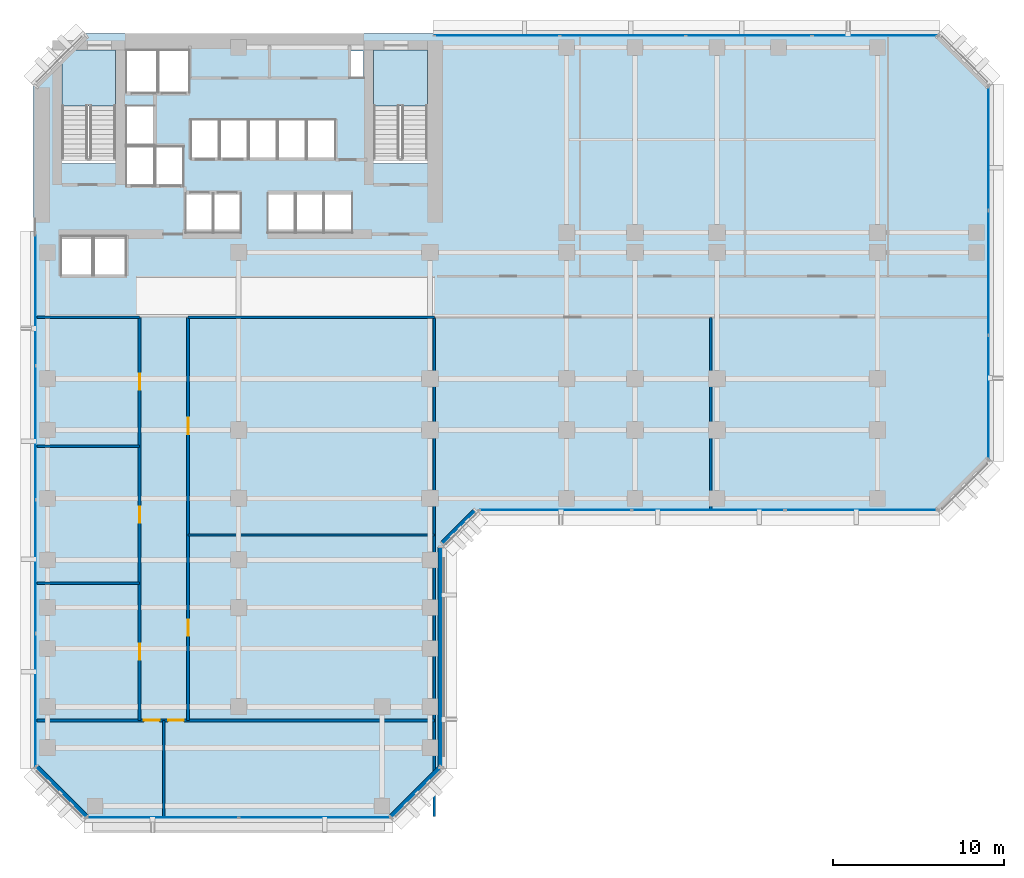
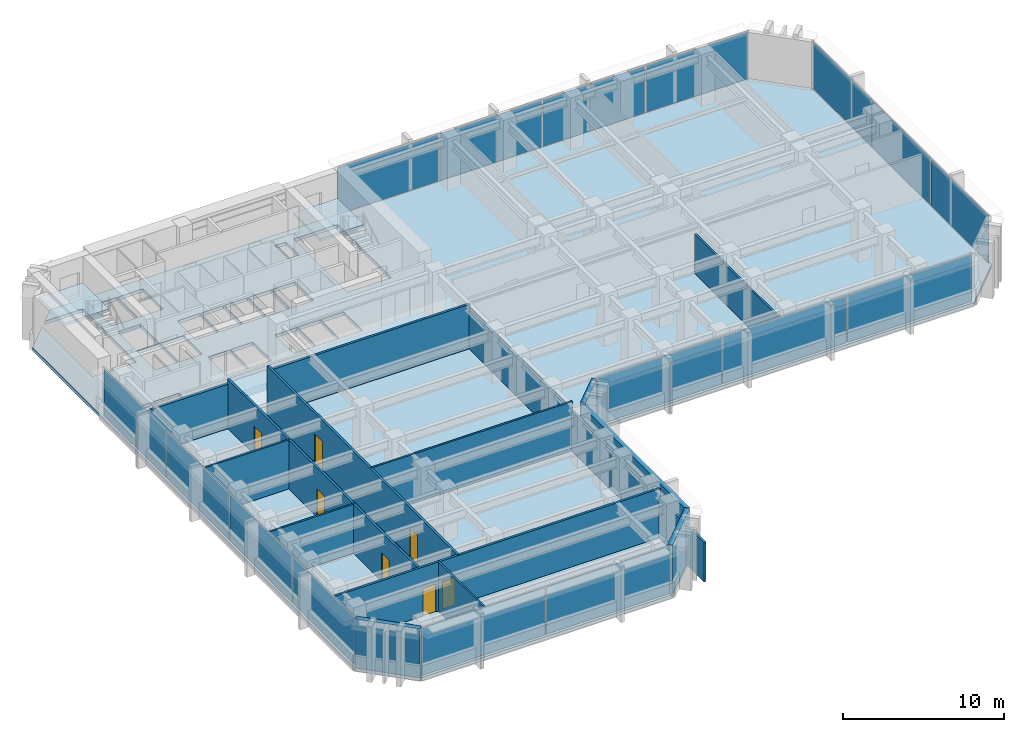
# One storey, part 6 of 13: 16 plates, 15 walls, 7 doors, 3 slabs, 7 openings, 7 elements without a shape of their own.
"""IFC4 building model written with IfcOpenShell, lengths in metres."""

from ifc_helpers import new_model, si_unit, direction, frame, frame_2d, origin, origin_2d, place, context, subcontext, project, spatial, polyline, rectangle, outline, extrude, material, layer, layer_set, type_object, element, fill, aggregate, save


model = new_model("IFC4")

# Units and contexts
model_context = context("Model", 3, precision=1e-05, world=origin(), true_north=direction((0.0, 1.0)))
body_context = subcontext(model_context, "Body", "Model", "MODEL_VIEW")
ifc_project = project(units=[si_unit("LENGTHUNIT", "METRE"), si_unit("AREAUNIT", "SQUARE_METRE"), si_unit("VOLUMEUNIT", "CUBIC_METRE"), si_unit("PLANEANGLEUNIT", "RADIAN"), si_unit("MASSUNIT", "GRAM", prefix="KILO")], contexts=[model_context])

# Site, building, storey
site_placement = place(None, origin())
site = spatial("IfcSite", under=ifc_project, at=site_placement, CompositionType="ELEMENT")
building_placement = place(site_placement, origin())
building = spatial("IfcBuilding", under=site, at=building_placement, Name="Kefirva Bronze Tower", CompositionType="ELEMENT")
storey_placement = place(building_placement, frame((0.0, 0.0, 46.199951171875)))
storey = spatial("IfcBuildingStorey", under=building, at=storey_placement, Name="L10", CompositionType="ELEMENT", Elevation=46.199951171875)

# Stair, slab
ifc_material_1 = material(Name="Concrete C40/50", Category="concrete")
stair_type = type_object("IfcStairType", Name="RC Dogleg Protected Stair 24R", PredefinedType="HALF_TURN_STAIR", material=ifc_material_1)
stair_1_placement = place(storey_placement, origin())
stair_1 = element("IfcStair", 1, at=stair_1_placement, inside=storey, type_object=stair_type, Name="L10 Protected Exit Stair 1", PredefinedType="HALF_TURN_STAIR")
ifc_layer_1 = layer(ifc_material_1, 0.199951171875, Name="Concrete C40/50")
ifc_layer_set_1 = layer_set([ifc_layer_1], Name="Concrete C40/50")
slab_type_1 = type_object("IfcSlabType", Name="RC Stair Landing Slab 200mm", PredefinedType="LANDING", material=ifc_layer_set_1)
slab_1_placement = place(storey_placement, frame((0.0, 0.0, 1.780029296875)))
slab_1 = element("IfcSlab", 2, at=slab_1_placement, type_object=slab_type_1, Name="ST-1 landing 1", PredefinedType="LANDING", context=body_context, shape_type="SweptSolid", body=[
    extrude(outline(polyline([(4.800048828125, 41.780029296875), (4.800048828125, 45.050048828125), (1.64990234375, 45.050048828125), (1.64990234375, 41.780029296875), (4.800048828125, 41.780029296875)])), origin(), (0.0, 0.0, 1.0), 0.199951171875),
])
aggregate(stair_1, [slab_1])

stair_2_placement = place(storey_placement, origin())
stair_2 = element("IfcStair", 3, at=stair_2_placement, inside=storey, type_object=stair_type, Name="L10 Protected Exit Stair 2", PredefinedType="HALF_TURN_STAIR")
slab_2_placement = place(storey_placement, frame((0.0, 0.0, 1.780029296875)))
slab_2 = element("IfcSlab", 4, at=slab_2_placement, type_object=slab_type_1, Name="ST-2 landing 1", PredefinedType="LANDING", context=body_context, shape_type="SweptSolid", body=[
    extrude(outline(polyline([(23.050048828125, 41.780029296875), (23.050048828125, 45.050048828125), (19.89990234375, 45.050048828125), (19.89990234375, 41.780029296875), (23.050048828125, 41.780029296875)])), origin(), (0.0, 0.0, 1.0), 0.199951171875),
])
aggregate(stair_2, [slab_2])

# Slab
ifc_layer_2 = layer(ifc_material_1, 0.25, Name="Concrete C40/50")
ifc_layer_set_2 = layer_set([ifc_layer_2], Name="Concrete C40/50")
slab_type_2 = type_object("IfcSlabType", Name="RC Tower Floor Slab 250mm", PredefinedType="FLOOR", material=ifc_layer_set_2)
slab_3_placement = place(storey_placement, frame((0.0, 0.0, -0.25)))
element("IfcSlab", 5, at=slab_3_placement, inside=storey, type_object=slab_type_2, Name="L10 Structural Floor Slab", PredefinedType="FLOOR", context=body_context, shape_type="SweptSolid", body=[
    extrude(outline(polyline([(0.0, 3.0), (0.0, 43.0), (1.64990234375, 44.64990234375), (1.64990234375, 38.39990234375), (4.800048828125, 38.39990234375), (4.800048828125, 45.050048828125), (2.050048828125, 45.050048828125), (3.0, 46.0), (53.0, 46.0), (56.0, 43.0), (56.0, 21.0), (53.0, 18.0), (26.0, 18.0), (24.0, 16.0), (24.0, 3.0), (21.0, 0.0), (3.0, 0.0), (0.0, 3.0)]), holes=[polyline([(19.89990234375, 38.39990234375), (23.050048828125, 38.39990234375), (23.050048828125, 45.050048828125), (19.89990234375, 45.050048828125), (19.89990234375, 38.39990234375)]), polyline([(18.52001953125, 43.419921875), (19.320068359375, 43.419921875), (19.320068359375, 45.0), (18.52001953125, 45.0), (18.52001953125, 43.419921875)]), polyline([(17.0, 34.35009765625), (18.64990234375, 34.35009765625), (18.64990234375, 36.64990234375), (17.0, 36.64990234375), (17.0, 34.35009765625)]), polyline([(17.64990234375, 38.679931640625), (17.64990234375, 40.97998046875), (16.0, 40.97998046875), (16.0, 38.679931640625), (17.64990234375, 38.679931640625)]), polyline([(16.949951171875, 34.35009765625), (16.949951171875, 36.64990234375), (15.35009765625, 36.64990234375), (15.35009765625, 34.35009765625), (16.949951171875, 34.35009765625)]), polyline([(15.929931640625, 38.679931640625), (15.929931640625, 40.97998046875), (14.300048828125, 40.97998046875), (14.300048828125, 38.679931640625), (15.929931640625, 38.679931640625)]), polyline([(15.300048828125, 34.35009765625), (15.300048828125, 36.64990234375), (13.699951171875, 36.64990234375), (13.699951171875, 34.35009765625), (15.300048828125, 34.35009765625)]), polyline([(14.22998046875, 38.679931640625), (14.22998046875, 40.97998046875), (12.60009765625, 40.97998046875), (12.60009765625, 38.679931640625), (14.22998046875, 38.679931640625)]), polyline([(10.89990234375, 38.679931640625), (12.530029296875, 38.679931640625), (12.530029296875, 40.97998046875), (10.89990234375, 40.97998046875), (10.89990234375, 38.679931640625)]), polyline([(12.139892578125, 34.35009765625), (12.139892578125, 36.64990234375), (10.5400390625, 36.64990234375), (10.5400390625, 34.35009765625), (12.139892578125, 34.35009765625)]), polyline([(10.830078125, 38.679931640625), (10.830078125, 40.97998046875), (9.199951171875, 40.97998046875), (9.199951171875, 38.679931640625), (10.830078125, 38.679931640625)]), polyline([(10.5, 34.35009765625), (10.5, 36.64990234375), (8.89990234375, 36.64990234375), (8.89990234375, 34.35009765625), (10.5, 34.35009765625)]), polyline([(7.300048828125, 42.550048828125), (9.1201171875, 42.550048828125), (9.1201171875, 45.050048828125), (7.300048828125, 45.050048828125), (7.300048828125, 42.550048828125)]), polyline([(7.139892578125, 37.10009765625), (8.780029296875, 37.10009765625), (8.780029296875, 39.39990234375), (7.139892578125, 39.39990234375), (7.139892578125, 37.10009765625)]), polyline([(5.419921875, 42.550048828125), (7.239990234375, 42.550048828125), (7.239990234375, 45.050048828125), (5.419921875, 45.050048828125), (5.419921875, 42.550048828125)]), polyline([(7.06005859375, 39.47998046875), (7.06005859375, 41.780029296875), (5.419921875, 41.780029296875), (5.419921875, 39.47998046875), (7.06005859375, 39.47998046875)]), polyline([(5.419921875, 37.10009765625), (7.06005859375, 37.10009765625), (7.06005859375, 39.39990234375), (5.419921875, 39.39990234375), (5.419921875, 37.10009765625)]), polyline([(5.39990234375, 31.85009765625), (5.39990234375, 34.14990234375), (3.550048828125, 34.14990234375), (3.550048828125, 31.85009765625), (5.39990234375, 31.85009765625)]), polyline([(3.449951171875, 31.85009765625), (3.449951171875, 34.14990234375), (1.60009765625, 34.14990234375), (1.60009765625, 31.85009765625), (3.449951171875, 31.85009765625)])]), origin(), (0.0, 0.0, 1.0), 0.25),
])

# Curtain wall, plates
ifc_material_2 = material(Name="Bronze anodised aluminium", Category="aluminium")
ifc_layer_3 = layer(ifc_material_2, 0.199951171875, Name="Bronze anodised aluminium")
ifc_layer_set_3 = layer_set([ifc_layer_3], Name="Bronze anodised aluminium")
curtain_wall_type = type_object("IfcCurtainWallType", Name="Unitised Bronze Ribbon Curtain Wall Zone 1", PredefinedType="USERDEFINED", material=ifc_layer_set_3)
curtain_wall_1_placement = place(storey_placement, origin())
curtain_wall_1 = element("IfcCurtainWall", 6, at=curtain_wall_1_placement, inside=storey, type_object=curtain_wall_type, Name="L10 Curtain Wall 1", ObjectType="UNITISED CURTAIN WALL", PredefinedType="USERDEFINED")
ifc_material_3 = material(Name="Laminated low-E double glazing", Category="glass")
ifc_layer_4 = layer(ifc_material_3, 0.031982421875, Name="Laminated low-E double glazing")
ifc_layer_set_4 = layer_set([ifc_layer_4], Name="Laminated low-E double glazing")
plate_type = type_object("IfcPlateType", Name="Solar-Control Low-E Vision Panel 32mm", PredefinedType="CURTAIN_PANEL", material=ifc_layer_set_4)
plate_1_placement = place(storey_placement, frame((7.546142578125, 0.1201171875, 0.074951171875), z_axis=(0.0, 0.0, 1.0), x_axis=(1.0, 0.0, 0.0)))
plate_1 = element("IfcPlate", 7, at=plate_1_placement, type_object=plate_type, Name="CW-01 panel 1.1", PredefinedType="CURTAIN_PANEL", context=body_context, shape_type="SweptSolid", body=[
    extrude(rectangle(XDim=8.83251953125, YDim=0.031982421875, at=origin_2d()), origin(), (0.0, 0.0, 1.0), 3.56005859375),
])
plate_2_placement = place(storey_placement, frame((16.453857421875, 0.1201171875, 0.074951171875), z_axis=(0.0, 0.0, 1.0), x_axis=(1.0, 0.0, 0.0)))
plate_2 = element("IfcPlate", 8, at=plate_2_placement, type_object=plate_type, Name="CW-01 panel 2.1", PredefinedType="CURTAIN_PANEL", context=body_context, shape_type="SweptSolid", body=[
    extrude(rectangle(XDim=8.83251953125, YDim=0.031982421875, at=origin_2d()), origin(), (0.0, 0.0, 1.0), 3.56005859375),
])
aggregate(curtain_wall_1, [plate_1, plate_2])

curtain_wall_2_placement = place(storey_placement, origin())
curtain_wall_2 = element("IfcCurtainWall", 9, at=curtain_wall_2_placement, inside=storey, type_object=curtain_wall_type, Name="L10 Curtain Wall 2", ObjectType="UNITISED CURTAIN WALL", PredefinedType="USERDEFINED")
plate_3_placement = place(storey_placement, frame((30.555419921875, 18.1201171875, 0.074951171875), z_axis=(0.0, 0.0, 1.0), x_axis=(1.0, 0.0, 0.0)))
plate_3 = element("IfcPlate", 10, at=plate_3_placement, type_object=plate_type, Name="CW-01 panel 1.1", PredefinedType="CURTAIN_PANEL", context=body_context, shape_type="SweptSolid", body=[
    extrude(rectangle(XDim=8.850830078125, YDim=0.031982421875, at=origin_2d()), origin(), (0.0, 0.0, 1.0), 3.56005859375),
])
plate_4_placement = place(storey_placement, frame((39.5, 18.1201171875, 0.074951171875), z_axis=(0.0, 0.0, 1.0), x_axis=(1.0, 0.0, 0.0)))
plate_4 = element("IfcPlate", 11, at=plate_4_placement, type_object=plate_type, Name="CW-01 panel 2.1", PredefinedType="CURTAIN_PANEL", context=body_context, shape_type="SweptSolid", body=[
    extrude(rectangle(XDim=8.888427734375, YDim=0.031982421875, at=origin_2d()), origin(), (0.0, 0.0, 1.0), 3.56005859375),
])
plate_5_placement = place(storey_placement, frame((48.444580078125, 18.1201171875, 0.074951171875), z_axis=(0.0, 0.0, 1.0), x_axis=(1.0, 0.0, 0.0)))
plate_5 = element("IfcPlate", 12, at=plate_5_placement, type_object=plate_type, Name="CW-01 panel 3.1", PredefinedType="CURTAIN_PANEL", context=body_context, shape_type="SweptSolid", body=[
    extrude(rectangle(XDim=8.850830078125, YDim=0.031982421875, at=origin_2d()), origin(), (0.0, 0.0, 1.0), 3.56005859375),
])
aggregate(curtain_wall_2, [plate_3, plate_4, plate_5])

curtain_wall_3_placement = place(storey_placement, origin())
curtain_wall_3 = element("IfcCurtainWall", 13, at=curtain_wall_3_placement, inside=storey, type_object=curtain_wall_type, Name="L10 Curtain Wall 3", ObjectType="UNITISED CURTAIN WALL", PredefinedType="USERDEFINED")
plate_6_placement = place(storey_placement, frame((55.8798828125, 24.72216796875, 0.074951171875), z_axis=(0.0, 0.0, 1.0), x_axis=(0.0, 1.0, 0.0)))
plate_6 = element("IfcPlate", 14, at=plate_6_placement, type_object=plate_type, Name="CW-01 panel 1.1", PredefinedType="CURTAIN_PANEL", context=body_context, shape_type="SweptSolid", body=[
    extrude(rectangle(XDim=7.18408203125, YDim=0.031982421875, at=origin_2d()), origin(), (0.0, 0.0, 1.0), 3.56005859375),
])
plate_7_placement = place(storey_placement, frame((55.8798828125, 32.0, 0.074951171875), z_axis=(0.0, 0.0, 1.0), x_axis=(0.0, 1.0, 0.0)))
plate_7 = element("IfcPlate", 15, at=plate_7_placement, type_object=plate_type, Name="CW-01 panel 2.1", PredefinedType="CURTAIN_PANEL", context=body_context, shape_type="SweptSolid", body=[
    extrude(rectangle(XDim=7.2216796875, YDim=0.031982421875, at=origin_2d()), origin(), (0.0, 0.0, 1.0), 3.56005859375),
])
plate_8_placement = place(storey_placement, frame((55.8798828125, 39.27783203125, 0.074951171875), z_axis=(0.0, 0.0, 1.0), x_axis=(0.0, 1.0, 0.0)))
plate_8 = element("IfcPlate", 16, at=plate_8_placement, type_object=plate_type, Name="CW-01 panel 3.1", PredefinedType="CURTAIN_PANEL", context=body_context, shape_type="SweptSolid", body=[
    extrude(rectangle(XDim=7.18408203125, YDim=0.031982421875, at=origin_2d()), origin(), (0.0, 0.0, 1.0), 3.56005859375),
])
aggregate(curtain_wall_3, [plate_6, plate_7, plate_8])

curtain_wall_4_placement = place(storey_placement, origin())
curtain_wall_4 = element("IfcCurtainWall", 17, at=curtain_wall_4_placement, inside=storey, type_object=curtain_wall_type, Name="L10 Curtain Wall 4", ObjectType="UNITISED CURTAIN WALL", PredefinedType="USERDEFINED")
plate_9_placement = place(storey_placement, frame((49.233642578125, 45.8798828125, 0.074951171875), z_axis=(0.0, 0.0, 1.0), x_axis=(-1.0, 0.0, 0.0)))
plate_9 = element("IfcPlate", 18, at=plate_9_placement, type_object=plate_type, Name="CW-01 panel 1.1", PredefinedType="CURTAIN_PANEL", context=body_context, shape_type="SweptSolid", body=[
    extrude(rectangle(XDim=7.2724609375, YDim=0.031982421875, at=origin_2d()), origin(), (0.0, 0.0, 1.0), 3.56005859375),
])
plate_10_placement = place(storey_placement, frame((41.867431640625, 45.8798828125, 0.074951171875), z_axis=(0.0, 0.0, 1.0), x_axis=(-1.0, 0.0, 0.0)))
plate_10 = element("IfcPlate", 19, at=plate_10_placement, type_object=plate_type, Name="CW-01 panel 2.1", PredefinedType="CURTAIN_PANEL", context=body_context, shape_type="SweptSolid", body=[
    extrude(rectangle(XDim=7.31005859375, YDim=0.031982421875, at=origin_2d()), origin(), (0.0, 0.0, 1.0), 3.56005859375),
])
plate_11_placement = place(storey_placement, frame((34.482421875, 45.8798828125, 0.074951171875), z_axis=(0.0, 0.0, 1.0), x_axis=(-1.0, 0.0, 0.0)))
plate_11 = element("IfcPlate", 20, at=plate_11_placement, type_object=plate_type, Name="CW-01 panel 3.1", PredefinedType="CURTAIN_PANEL", context=body_context, shape_type="SweptSolid", body=[
    extrude(rectangle(XDim=7.31005859375, YDim=0.031982421875, at=origin_2d()), origin(), (0.0, 0.0, 1.0), 3.56005859375),
])
plate_12_placement = place(storey_placement, frame((27.1162109375, 45.8798828125, 0.074951171875), z_axis=(0.0, 0.0, 1.0), x_axis=(-1.0, 0.0, 0.0)))
plate_12 = element("IfcPlate", 21, at=plate_12_placement, type_object=plate_type, Name="CW-01 panel 4.1", PredefinedType="CURTAIN_PANEL", context=body_context, shape_type="SweptSolid", body=[
    extrude(rectangle(XDim=7.2724609375, YDim=0.031982421875, at=origin_2d()), origin(), (0.0, 0.0, 1.0), 3.56005859375),
])
aggregate(curtain_wall_4, [plate_9, plate_10, plate_11, plate_12])

curtain_wall_5_placement = place(storey_placement, origin())
curtain_wall_5 = element("IfcCurtainWall", 22, at=curtain_wall_5_placement, inside=storey, type_object=curtain_wall_type, Name="L10 Curtain Wall 5", ObjectType="UNITISED CURTAIN WALL", PredefinedType="USERDEFINED")
plate_13_placement = place(storey_placement, frame((0.1201171875, 30.458740234375, 0.074951171875), z_axis=(0.0, 0.0, 1.0), x_axis=(0.0, -1.0, 0.0)))
plate_13 = element("IfcPlate", 23, at=plate_13_placement, type_object=plate_type, Name="CW-01 panel 1.1", PredefinedType="CURTAIN_PANEL", context=body_context, shape_type="SweptSolid", body=[
    extrude(rectangle(XDim=7.722412109375, YDim=0.031982421875, at=origin_2d()), origin(), (0.0, 0.0, 1.0), 3.56005859375),
])
plate_14_placement = place(storey_placement, frame((0.1201171875, 22.642578125, 0.074951171875), z_axis=(0.0, 0.0, 1.0), x_axis=(0.0, -1.0, 0.0)))
plate_14 = element("IfcPlate", 24, at=plate_14_placement, type_object=plate_type, Name="CW-01 panel 2.1", PredefinedType="CURTAIN_PANEL", context=body_context, shape_type="SweptSolid", body=[
    extrude(rectangle(XDim=7.760009765625, YDim=0.031982421875, at=origin_2d()), origin(), (0.0, 0.0, 1.0), 3.56005859375),
])
plate_15_placement = place(storey_placement, frame((0.1201171875, 14.8076171875, 0.074951171875), z_axis=(0.0, 0.0, 1.0), x_axis=(0.0, -1.0, 0.0)))
plate_15 = element("IfcPlate", 25, at=plate_15_placement, type_object=plate_type, Name="CW-01 panel 3.1", PredefinedType="CURTAIN_PANEL", context=body_context, shape_type="SweptSolid", body=[
    extrude(rectangle(XDim=7.760009765625, YDim=0.031982421875, at=origin_2d()), origin(), (0.0, 0.0, 1.0), 3.56005859375),
])
plate_16_placement = place(storey_placement, frame((0.1201171875, 6.9912109375, 0.074951171875), z_axis=(0.0, 0.0, 1.0), x_axis=(0.0, -1.0, 0.0)))
plate_16 = element("IfcPlate", 26, at=plate_16_placement, type_object=plate_type, Name="CW-01 panel 4.1", PredefinedType="CURTAIN_PANEL", context=body_context, shape_type="SweptSolid", body=[
    extrude(rectangle(XDim=7.722412109375, YDim=0.031982421875, at=origin_2d()), origin(), (0.0, 0.0, 1.0), 3.56005859375),
])
aggregate(curtain_wall_5, [plate_13, plate_14, plate_15, plate_16])

# Walls
ifc_material_4 = material(Name="Gypsum acoustic partition")
ifc_layer_5 = layer(ifc_material_4, 0.1298828125, Name="Gypsum acoustic partition")
ifc_layer_set_5 = layer_set([ifc_layer_5], Name="Gypsum acoustic partition")
wall_type_1 = type_object("IfcWallType", Name="Acoustic Office Partition 130mm", PredefinedType="PARTITIONING", material=ifc_layer_set_5)
wall_1_placement = place(storey_placement, frame((7.6201171875, 0.18994140625, 0.0), z_axis=(0.0, 0.0, 1.0), x_axis=(0.0, 1.0, 0.0)))
element("IfcWall", 27, at=wall_1_placement, inside=storey, type_object=wall_type_1, Name="L10 Partition W-L10-CAPDV", PredefinedType="PARTITIONING", context=body_context, shape_type="SweptSolid", body=[
    extrude(rectangle(XDim=5.610107421875, YDim=0.1298828125, at=frame_2d((2.80517578125, 0.0))), origin(), (0.0, 0.0, 1.0), 3.7099609375),
])
for number, where, z_axis, x_axis, name in (
    (28, (0.18994140625, 13.823974609375, 0.0), (0.0, 0.0, 1.0), (1.0, 0.0, 0.0), "L10 Partition W-L10-SWD1"),
    (29, (0.18994140625, 21.847900390625, 0.0), (0.0, 0.0, 1.0), (1.0, 0.0, 0.0), "L10 Partition W-L10-SWD2"),
):
    element("IfcWall", number, at=place(storey_placement, frame(where, z_axis=z_axis, x_axis=x_axis)), inside=storey, type_object=wall_type_1, Name=name, PredefinedType="PARTITIONING", context=body_context, shape_type="SweptSolid", body=[
        extrude(rectangle(XDim=6.010009765625, YDim=0.1298828125, at=frame_2d((3.0048828125, 0.0))), origin(), (0.0, 0.0, 1.0), 3.7099609375),
    ])
wall_2_placement = place(storey_placement, frame((9.0400390625, 16.656005859375, 0.0), z_axis=(0.0, 0.0, 1.0), x_axis=(1.0, 0.0, 0.0)))
element("IfcWall", 30, at=wall_2_placement, inside=storey, type_object=wall_type_1, Name="L10 Partition W-L10-SED1", PredefinedType="PARTITIONING", context=body_context, shape_type="SweptSolid", body=[
    extrude(rectangle(XDim=14.409912109375, YDim=0.1298828125, at=frame_2d((7.205078125, 0.0))), origin(), (0.0, 0.0, 1.0), 3.7099609375),
])
wall_3_placement = place(storey_placement, frame((39.6298828125, 18.18994140625, 0.0), z_axis=(0.0, 0.0, 1.0), x_axis=(0.0, 1.0, 0.0)))
element("IfcWall", 31, at=wall_3_placement, inside=storey, type_object=wall_type_1, Name="L10 Partition W-L10-ESD1", PredefinedType="PARTITIONING", context=body_context, shape_type="SweptSolid", body=[
    extrude(rectangle(XDim=11.2099609375, YDim=0.1298828125, at=frame_2d((5.60498046875, 0.0))), origin(), (0.0, 0.0, 1.0), 2.9951171875),
])
ifc_material_5 = material(Name="Precast concrete C40/50", Category="concrete")
ifc_layer_6 = layer(ifc_material_5, 0.320068359375, Name="Precast concrete C40/50")
ifc_layer_set_6 = layer_set([ifc_layer_6], Name="Precast concrete C40/50")
wall_type_2 = type_object("IfcWallType", Name="Precast Insulated Exterior Wall 320mm", PredefinedType="SOLIDWALL", material=ifc_layer_set_6)
wall_4_placement = place(storey_placement, frame((20.92578125, 0.152099609375, 0.0), z_axis=(0.0, 0.0, 1.0), x_axis=(0.707106781187, 0.707106781187, 0.0)))
element("IfcWall", 32, at=wall_4_placement, inside=storey, type_object=wall_type_2, Name="L10 Exterior Facade Wall 1", PredefinedType="SOLIDWALL", context=body_context, shape_type="SweptSolid", body=[
    extrude(rectangle(XDim=4.132568359375, YDim=0.320068359375, at=frame_2d((2.06640625, 0.0))), origin(), (0.0, 0.0, 1.0), 3.7099609375),
])
wall_5_placement = place(storey_placement, frame((23.840087890625, 3.054931640625, 0.0), z_axis=(0.0, 0.0, 1.0), x_axis=(0.0, 1.0, 0.0)))
element("IfcWall", 33, at=wall_5_placement, inside=storey, type_object=wall_type_2, Name="L10 Exterior Facade Wall 2", PredefinedType="SOLIDWALL", context=body_context, shape_type="SweptSolid", body=[
    extrude(rectangle(XDim=12.89013671875, YDim=0.320068359375, at=frame_2d((6.445068359375, 0.0))), origin(), (0.0, 0.0, 1.0), 3.7099609375),
])
wall_6_placement = place(storey_placement, frame((23.92578125, 16.152099609375, 0.0), z_axis=(0.0, 0.0, 1.0), x_axis=(0.707106781187, 0.707106781187, 0.0)))
element("IfcWall", 34, at=wall_6_placement, inside=storey, type_object=wall_type_2, Name="L10 Exterior Facade Wall 3", PredefinedType="SOLIDWALL", context=body_context, shape_type="SweptSolid", body=[
    extrude(rectangle(XDim=2.71826171875, YDim=0.320068359375, at=frame_2d((1.359130859375, 0.0))), origin(), (0.0, 0.0, 1.0), 3.7099609375),
])
wall_7_placement = place(storey_placement, frame((0.152099609375, 3.07421875, 0.0), z_axis=(0.0, 0.0, 1.0), x_axis=(0.707106781187, -0.707106781187, 0.0)))
element("IfcWall", 35, at=wall_7_placement, inside=storey, type_object=wall_type_2, Name="L10 Exterior Facade Wall 7", PredefinedType="SOLIDWALL", context=body_context, shape_type="SweptSolid", body=[
    extrude(rectangle(XDim=4.132568359375, YDim=0.320068359375, at=frame_2d((2.06640625, 0.0))), origin(), (0.0, 0.0, 1.0), 3.7099609375),
])

# Wall, openings, doors
ifc_layer_7 = layer(ifc_material_4, 0.159912109375, Name="Gypsum acoustic partition")
ifc_layer_set_7 = layer_set([ifc_layer_7], Name="Gypsum acoustic partition")
wall_type_3 = type_object("IfcWallType", Name="Protected Corridor Partition 160mm", PredefinedType="PARTITIONING", material=ifc_layer_set_7)
wall_8_placement = place(storey_placement, frame((6.199951171875, 5.800048828125, 0.0), z_axis=(0.0, 0.0, 1.0), x_axis=(0.0, 1.0, 0.0)))
wall_8 = element("IfcWall", 36, at=wall_8_placement, inside=storey, type_object=wall_type_3, Name="L10 Partition W-L10-SWCORW", PredefinedType="PARTITIONING", context=body_context, shape_type="SweptSolid", body=[
    extrude(rectangle(XDim=23.599853515625, YDim=0.159912109375, at=frame_2d((11.7998046875, 0.0))), origin(), (0.0, 0.0, 1.0), 3.7099609375),
])
opening_1_placement = place(wall_8_placement, frame((4.487060546875, 0.0, 0.0), z_axis=(0.0, 0.0, 1.0), x_axis=(-1.0, 0.0, 0.0)))
opening_1 = element("IfcOpeningElement", 37, at=opening_1_placement, cuts=wall_8, Name="Opening L10-D-SW1", PredefinedType="OPENING", context=body_context, shape_type="SweptSolid", body=[
    extrude(rectangle(XDim=0.949951171875, YDim=2.14990234375, at=frame_2d((0.47509765625, 1.074951171875))), frame((0.0, 0.08984375, 0.0), z_axis=(0.0, -1.0, 0.0), x_axis=(1.0, 0.0, 0.0)), (0.0, 0.0, 1.0), 0.179931640625),
])
opening_2_placement = place(wall_8_placement, frame((12.510986328125, 0.0, 0.0), z_axis=(0.0, 0.0, 1.0), x_axis=(-1.0, 0.0, 0.0)))
opening_2 = element("IfcOpeningElement", 38, at=opening_2_placement, cuts=wall_8, Name="Opening L10-D-SW2", PredefinedType="OPENING", context=body_context, shape_type="SweptSolid", body=[
    extrude(rectangle(XDim=0.949951171875, YDim=2.14990234375, at=frame_2d((0.47509765625, 1.074951171875))), frame((0.0, 0.08984375, 0.0), z_axis=(0.0, -1.0, 0.0), x_axis=(1.0, 0.0, 0.0)), (0.0, 0.0, 1.0), 0.179931640625),
])
opening_3_placement = place(wall_8_placement, frame((20.299072265625, 0.0, 0.0), z_axis=(0.0, 0.0, 1.0), x_axis=(-1.0, 0.0, 0.0)))
opening_3 = element("IfcOpeningElement", 39, at=opening_3_placement, cuts=wall_8, Name="Opening L10-D-SW3", PredefinedType="OPENING", context=body_context, shape_type="SweptSolid", body=[
    extrude(rectangle(XDim=0.949951171875, YDim=2.14990234375, at=frame_2d((0.47509765625, 1.074951171875))), frame((0.0, 0.08984375, 0.0), z_axis=(0.0, -1.0, 0.0), x_axis=(1.0, 0.0, 0.0)), (0.0, 0.0, 1.0), 0.179931640625),
])
ifc_material_6 = material(Name="Acoustic hardwood oak", Category="wood")
door_type_1 = type_object("IfcDoorType", Name="Office & Meeting Room Door 950x2150", OperationType="NOTDEFINED", PredefinedType="DOOR", material=ifc_material_6)
door_1_placement = place(opening_1_placement, origin())
door_1 = element("IfcDoor", 40, at=door_1_placement, inside=storey, type_object=door_type_1, Name="Door L10-D-SW1", OperationType="SINGLE_SWING_LEFT", OverallHeight=2.14990234375, OverallWidth=0.949951171875, PredefinedType="DOOR", context=body_context, shape_type="SweptSolid", body=[
    extrude(rectangle(XDim=0.949951171875, YDim=2.14990234375, at=frame_2d((0.47509765625, 1.074951171875))), frame((0.0, 0.02490234375, 0.0), z_axis=(0.0, -1.0, 0.0), x_axis=(1.0, 0.0, 0.0)), (0.0, 0.0, 1.0), 0.050048828125),
])
fill(opening_1, door_1)
door_2_placement = place(opening_2_placement, origin())
door_2 = element("IfcDoor", 41, at=door_2_placement, inside=storey, type_object=door_type_1, Name="Door L10-D-SW2", OperationType="SINGLE_SWING_RIGHT", OverallHeight=2.14990234375, OverallWidth=0.949951171875, PredefinedType="DOOR", context=body_context, shape_type="SweptSolid", body=[
    extrude(rectangle(XDim=0.949951171875, YDim=2.14990234375, at=frame_2d((0.47509765625, 1.074951171875))), frame((0.0, 0.02490234375, 0.0), z_axis=(0.0, -1.0, 0.0), x_axis=(1.0, 0.0, 0.0)), (0.0, 0.0, 1.0), 0.050048828125),
])
fill(opening_2, door_2)
door_3_placement = place(opening_3_placement, origin())
door_3 = element("IfcDoor", 42, at=door_3_placement, inside=storey, type_object=door_type_1, Name="Door L10-D-SW3", OperationType="SINGLE_SWING_LEFT", OverallHeight=2.14990234375, OverallWidth=0.949951171875, PredefinedType="DOOR", context=body_context, shape_type="SweptSolid", body=[
    extrude(rectangle(XDim=0.949951171875, YDim=2.14990234375, at=frame_2d((0.47509765625, 1.074951171875))), frame((0.0, 0.02490234375, 0.0), z_axis=(0.0, -1.0, 0.0), x_axis=(1.0, 0.0, 0.0)), (0.0, 0.0, 1.0), 0.050048828125),
])
fill(opening_3, door_3)

wall_9_placement = place(storey_placement, frame((9.0400390625, 5.800048828125, 0.0), z_axis=(0.0, 0.0, 1.0), x_axis=(0.0, 1.0, 0.0)))
wall_9 = element("IfcWall", 43, at=wall_9_placement, inside=storey, type_object=wall_type_3, Name="L10 Partition W-L10-SECORE", PredefinedType="PARTITIONING", context=body_context, shape_type="SweptSolid", body=[
    extrude(rectangle(XDim=23.599853515625, YDim=0.159912109375, at=frame_2d((11.7998046875, 0.0))), origin(), (0.0, 0.0, 1.0), 3.7099609375),
])
opening_4_placement = place(wall_9_placement, frame((4.952880859375, 0.0, 0.0)))
opening_4 = element("IfcOpeningElement", 44, at=opening_4_placement, cuts=wall_9, Name="Opening L10-D-SE1", PredefinedType="OPENING", context=body_context, shape_type="SweptSolid", body=[
    extrude(rectangle(XDim=0.949951171875, YDim=2.14990234375, at=frame_2d((0.47509765625, 1.074951171875))), frame((0.0, 0.08984375, 0.0), z_axis=(0.0, -1.0, 0.0), x_axis=(1.0, 0.0, 0.0)), (0.0, 0.0, 1.0), 0.179931640625),
])
opening_5_placement = place(wall_9_placement, frame((16.7529296875, 0.0, 0.0)))
opening_5 = element("IfcOpeningElement", 45, at=opening_5_placement, cuts=wall_9, Name="Opening L10-D-SE2", PredefinedType="OPENING", context=body_context, shape_type="SweptSolid", body=[
    extrude(rectangle(XDim=0.949951171875, YDim=2.14990234375, at=frame_2d((0.47509765625, 1.074951171875))), frame((0.0, 0.08984375, 0.0), z_axis=(0.0, -1.0, 0.0), x_axis=(1.0, 0.0, 0.0)), (0.0, 0.0, 1.0), 0.179931640625),
])
door_4_placement = place(opening_4_placement, origin())
door_4 = element("IfcDoor", 46, at=door_4_placement, inside=storey, type_object=door_type_1, Name="Door L10-D-SE1", OperationType="SINGLE_SWING_RIGHT", OverallHeight=2.14990234375, OverallWidth=0.949951171875, PredefinedType="DOOR", context=body_context, shape_type="SweptSolid", body=[
    extrude(rectangle(XDim=0.949951171875, YDim=2.14990234375, at=frame_2d((0.47509765625, 1.074951171875))), frame((0.0, 0.02490234375, 0.0), z_axis=(0.0, -1.0, 0.0), x_axis=(1.0, 0.0, 0.0)), (0.0, 0.0, 1.0), 0.050048828125),
])
fill(opening_4, door_4)
door_5_placement = place(opening_5_placement, origin())
door_5 = element("IfcDoor", 47, at=door_5_placement, inside=storey, type_object=door_type_1, Name="Door L10-D-SE2", OperationType="SINGLE_SWING_LEFT", OverallHeight=2.14990234375, OverallWidth=0.949951171875, PredefinedType="DOOR", context=body_context, shape_type="SweptSolid", body=[
    extrude(rectangle(XDim=0.949951171875, YDim=2.14990234375, at=frame_2d((0.47509765625, 1.074951171875))), frame((0.0, 0.02490234375, 0.0), z_axis=(0.0, -1.0, 0.0), x_axis=(1.0, 0.0, 0.0)), (0.0, 0.0, 1.0), 0.050048828125),
])
fill(opening_5, door_5)

wall_10_placement = place(storey_placement, frame((0.18994140625, 5.800048828125, 0.0), z_axis=(0.0, 0.0, 1.0), x_axis=(1.0, 0.0, 0.0)))
wall_10 = element("IfcWall", 48, at=wall_10_placement, inside=storey, type_object=wall_type_3, Name="L10 Partition W-L10-SBEND", PredefinedType="PARTITIONING", context=body_context, shape_type="SweptSolid", body=[
    extrude(rectangle(XDim=23.260009765625, YDim=0.159912109375, at=frame_2d((11.6298828125, 0.0))), origin(), (0.0, 0.0, 1.0), 3.7099609375),
])
opening_6_placement = place(wall_10_placement, frame((6.260009765625, 0.0, 0.0)))
opening_6 = element("IfcOpeningElement", 49, at=opening_6_placement, cuts=wall_10, Name="Opening L10-D-SEND1", PredefinedType="OPENING", context=body_context, shape_type="SweptSolid", body=[
    extrude(rectangle(XDim=0.919921875, YDim=2.10009765625, at=frame_2d((0.4599609375, 1.050048828125))), frame((0.0, 0.08984375, 0.0), z_axis=(0.0, -1.0, 0.0), x_axis=(1.0, 0.0, 0.0)), (0.0, 0.0, 1.0), 0.179931640625),
])
opening_7_placement = place(wall_10_placement, frame((7.679931640625, 0.0, 0.0)))
opening_7 = element("IfcOpeningElement", 50, at=opening_7_placement, cuts=wall_10, Name="Opening L10-D-SEND2", PredefinedType="OPENING", context=body_context, shape_type="SweptSolid", body=[
    extrude(rectangle(XDim=0.919921875, YDim=2.10009765625, at=frame_2d((0.4599609375, 1.050048828125))), frame((0.0, 0.08984375, 0.0), z_axis=(0.0, -1.0, 0.0), x_axis=(1.0, 0.0, 0.0)), (0.0, 0.0, 1.0), 0.179931640625),
])
ifc_material_7 = material(Name="Moisture-resistant timber", Category="wood")
door_type_2 = type_object("IfcDoorType", Name="Accessible Sanitary & WC Door 920x2100", OperationType="NOTDEFINED", PredefinedType="DOOR", material=ifc_material_7)
door_6_placement = place(opening_6_placement, origin())
door_6 = element("IfcDoor", 51, at=door_6_placement, inside=storey, type_object=door_type_2, Name="Door L10-D-SEND1", OperationType="SINGLE_SWING_LEFT", OverallHeight=2.10009765625, OverallWidth=0.919921875, PredefinedType="DOOR", context=body_context, shape_type="SweptSolid", body=[
    extrude(rectangle(XDim=0.919921875, YDim=2.10009765625, at=frame_2d((0.4599609375, 1.050048828125))), frame((0.0, 0.02490234375, 0.0), z_axis=(0.0, -1.0, 0.0), x_axis=(1.0, 0.0, 0.0)), (0.0, 0.0, 1.0), 0.050048828125),
])
fill(opening_6, door_6)
door_7_placement = place(opening_7_placement, origin())
door_7 = element("IfcDoor", 52, at=door_7_placement, inside=storey, type_object=door_type_2, Name="Door L10-D-SEND2", OperationType="SINGLE_SWING_RIGHT", OverallHeight=2.10009765625, OverallWidth=0.919921875, PredefinedType="DOOR", context=body_context, shape_type="SweptSolid", body=[
    extrude(rectangle(XDim=0.919921875, YDim=2.10009765625, at=frame_2d((0.4599609375, 1.050048828125))), frame((0.0, 0.02490234375, 0.0), z_axis=(0.0, -1.0, 0.0), x_axis=(1.0, 0.0, 0.0)), (0.0, 0.0, 1.0), 0.050048828125),
])
fill(opening_7, door_7)

# Walls
wall_11_placement = place(storey_placement, frame((0.18994140625, 29.39990234375, 0.0), z_axis=(0.0, 0.0, 1.0), x_axis=(1.0, 0.0, 0.0)))
element("IfcWall", 53, at=wall_11_placement, inside=storey, type_object=wall_type_3, Name="L10 Partition W-L10-NWT", PredefinedType="PARTITIONING", context=body_context, shape_type="SweptSolid", body=[
    extrude(rectangle(XDim=6.010009765625, YDim=0.159912109375, at=frame_2d((3.0048828125, 0.0))), origin(), (0.0, 0.0, 1.0), 3.364990234375),
])
wall_12_placement = place(storey_placement, frame((9.0400390625, 29.39990234375, 0.0), z_axis=(0.0, 0.0, 1.0), x_axis=(1.0, 0.0, 0.0)))
element("IfcWall", 54, at=wall_12_placement, inside=storey, type_object=wall_type_3, Name="L10 Partition W-L10-NET", PredefinedType="PARTITIONING", context=body_context, shape_type="SweptSolid", body=[
    extrude(rectangle(XDim=14.409912109375, YDim=0.159912109375, at=frame_2d((7.205078125, 0.0))), origin(), (0.0, 0.0, 1.0), 3.364990234375),
])
wall_13_placement = place(storey_placement, frame((23.449951171875, 0.18994140625, 0.0), z_axis=(0.0, 0.0, 1.0), x_axis=(0.0, 1.0, 0.0)))
element("IfcWall", 55, at=wall_13_placement, inside=storey, type_object=wall_type_3, Name="L10 Partition W-L10-SWEAST", PredefinedType="PARTITIONING", context=body_context, shape_type="SweptSolid", body=[
    extrude(rectangle(XDim=29.2099609375, YDim=0.159912109375, at=frame_2d((14.60498046875, 0.0))), origin(), (0.0, 0.0, 1.0), 2.9951171875),
])

save(model, "model.ifc")
